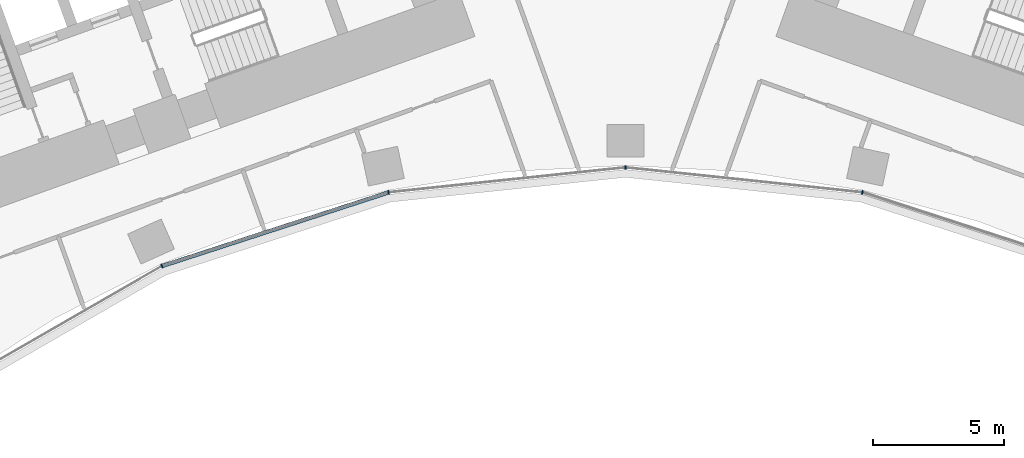
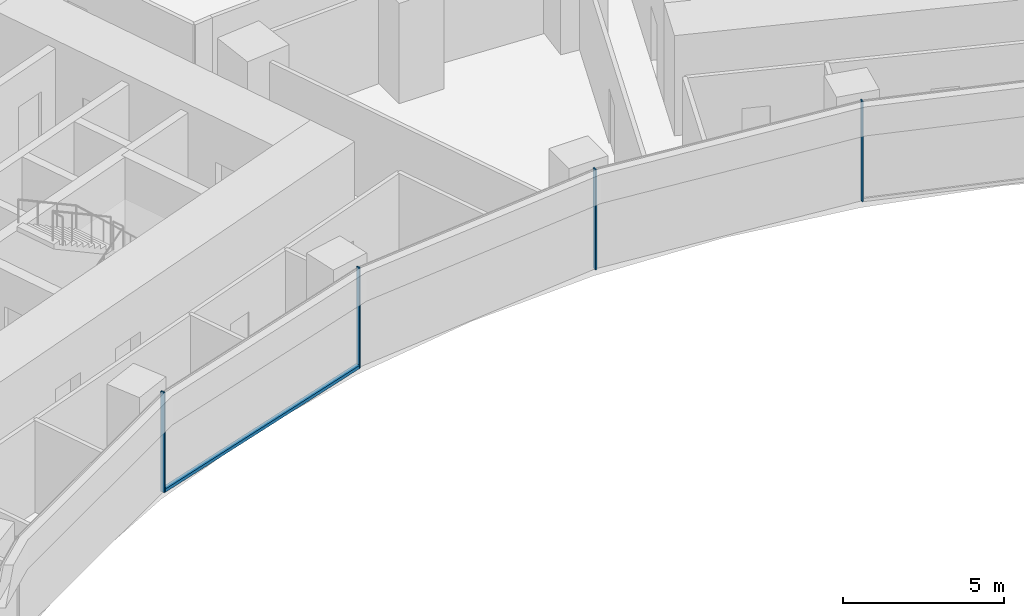
# One storey, part 5 of 21: 5 members, 1 element without a shape of its own.
"""IFC4 building model written with IfcOpenShell, lengths in metres."""

from ifc_helpers import new_model, si_unit, direction, frame, origin, origin_2d, place, context, subcontext, project, spatial, rectangle, extrude, material, layer, layer_set, material_profile, profile_set, type_object, element, aggregate, save


model = new_model("IFC4")

# Units and contexts
model_context = context("Model", 3, precision=1e-05, world=origin(), true_north=direction((0.0, 1.0)))
body_context = subcontext(model_context, "Body", "Model", "MODEL_VIEW")
ifc_project = project(units=[si_unit("LENGTHUNIT", "METRE"), si_unit("AREAUNIT", "SQUARE_METRE"), si_unit("VOLUMEUNIT", "CUBIC_METRE"), si_unit("PLANEANGLEUNIT", "RADIAN"), si_unit("MASSUNIT", "GRAM", prefix="KILO")], contexts=[model_context])

# Site, building, storey
site_placement = place(None, origin())
site = spatial("IfcSite", under=ifc_project, at=site_placement, CompositionType="ELEMENT")
building_placement = place(site_placement, origin())
building = spatial("IfcBuilding", under=site, at=building_placement, Name="Stone Belt Terrace Tower", CompositionType="ELEMENT")
storey_placement = place(building_placement, frame((0.0, 0.0, 56.60009765625)))
storey = spatial("IfcBuildingStorey", under=building, at=storey_placement, Name="L13", CompositionType="ELEMENT", Elevation=56.60009765625)

# Curtain wall, members
ifc_material = material(Name="Aluminium 6063-T6 anodised frame", Category="aluminium")
ifc_layer = layer(ifc_material, 0.14990234375)
ifc_layer_set = layer_set([ifc_layer], Name="CW-B unitised concave-face curtain wall")
curtain_wall_type = type_object("IfcCurtainWallType", Name="CW-B unitised concave-face curtain wall", PredefinedType="NOTDEFINED", material=ifc_layer_set)
curtain_wall_placement = place(storey_placement, origin())
curtain_wall = element("IfcCurtainWall", 1, at=curtain_wall_placement, inside=storey, type_object=curtain_wall_type, Name="CW-B concave face L13", PredefinedType="NOTDEFINED")
ifc_material_profile_1 = material_profile(ifc_material, rectangle(XDim=0.14990234375, YDim=0.050048828125, at=origin_2d()), Name="Aluminium 6063-T6 50x150")
ifc_profile_set_1 = profile_set([ifc_material_profile_1], Name="Aluminium 6063-T6 anodised frame")
member_type_1 = type_object("IfcMemberType", Name="CW-B mullion 50 x 150", PredefinedType="MULLION", material=ifc_profile_set_1)
member_1_placement = place(storey_placement, frame((-17.662353515625, 39.67041015625, 0.0), z_axis=(0.0, 0.0, 1.0), x_axis=(-0.406736643076, 0.913545457643, 0.0)))
member_1 = element("IfcMember", 2, at=member_1_placement, type_object=member_type_1, Name="CW-B mullion 4", PredefinedType="MULLION", context=body_context, shape_type="SweptSolid", body=[
    extrude(rectangle(XDim=0.14990234375, YDim=0.050048828125, at=origin_2d()), origin(), (0.0, 0.0, 1.0), 3.7998046875),
])
member_2_placement = place(storey_placement, frame((-9.028564453125, 42.4755859375, 0.0), z_axis=(0.0, 0.0, 1.0), x_axis=(-0.207911690818, 0.978147600734, 0.0)))
member_2 = element("IfcMember", 3, at=member_2_placement, type_object=member_type_1, Name="CW-B mullion 5", PredefinedType="MULLION", context=body_context, shape_type="SweptSolid", body=[
    extrude(rectangle(XDim=0.14990234375, YDim=0.050048828125, at=origin_2d()), origin(), (0.0, 0.0, 1.0), 3.7998046875),
])
member_3_placement = place(storey_placement, frame((0.0, 43.424560546875, 0.0), z_axis=(0.0, 0.0, 1.0), x_axis=(0.0, 1.0, 0.0)))
member_3 = element("IfcMember", 4, at=member_3_placement, type_object=member_type_1, Name="CW-B mullion 6", PredefinedType="MULLION", context=body_context, shape_type="SweptSolid", body=[
    extrude(rectangle(XDim=0.14990234375, YDim=0.050048828125, at=origin_2d()), origin(), (0.0, 0.0, 1.0), 3.7998046875),
])
member_4_placement = place(storey_placement, frame((9.028564453125, 42.4755859375, 0.0), z_axis=(0.0, 0.0, 1.0), x_axis=(0.207911690818, 0.978147600734, 0.0)))
member_4 = element("IfcMember", 5, at=member_4_placement, type_object=member_type_1, Name="CW-B mullion 7", PredefinedType="MULLION", context=body_context, shape_type="SweptSolid", body=[
    extrude(rectangle(XDim=0.14990234375, YDim=0.050048828125, at=origin_2d()), origin(), (0.0, 0.0, 1.0), 3.7998046875),
])
ifc_material_profile_2 = material_profile(ifc_material, rectangle(XDim=0.14990234375, YDim=0.1201171875, at=origin_2d()), Name="Aluminium 6063-T6 150x120")
ifc_profile_set_2 = profile_set([ifc_material_profile_2], Name="Aluminium 6063-T6 anodised frame")
member_type_2 = type_object("IfcMemberType", Name="CW-B transom 120 x 150", PredefinedType="USERDEFINED", material=ifc_profile_set_2)
member_5_placement = place(storey_placement, frame((-17.63134765625, 39.680419921875, 0.059814453125), z_axis=(0.951055963285, 0.309018696359, 0.0), x_axis=(-0.309018696359, 0.951055963285, 0.0)))
member_5 = element("IfcMember", 6, at=member_5_placement, type_object=member_type_2, Name="CW-B transom 4.1", ObjectType="TRANSOM", PredefinedType="USERDEFINED", context=body_context, shape_type="SweptSolid", body=[
    extrude(rectangle(XDim=0.14990234375, YDim=0.1201171875, at=origin_2d()), origin(), (0.0, 0.0, 1.0), 9.012939453125),
])
aggregate(curtain_wall, [member_1, member_2, member_3, member_4, member_5])

save(model, "model.ifc")
